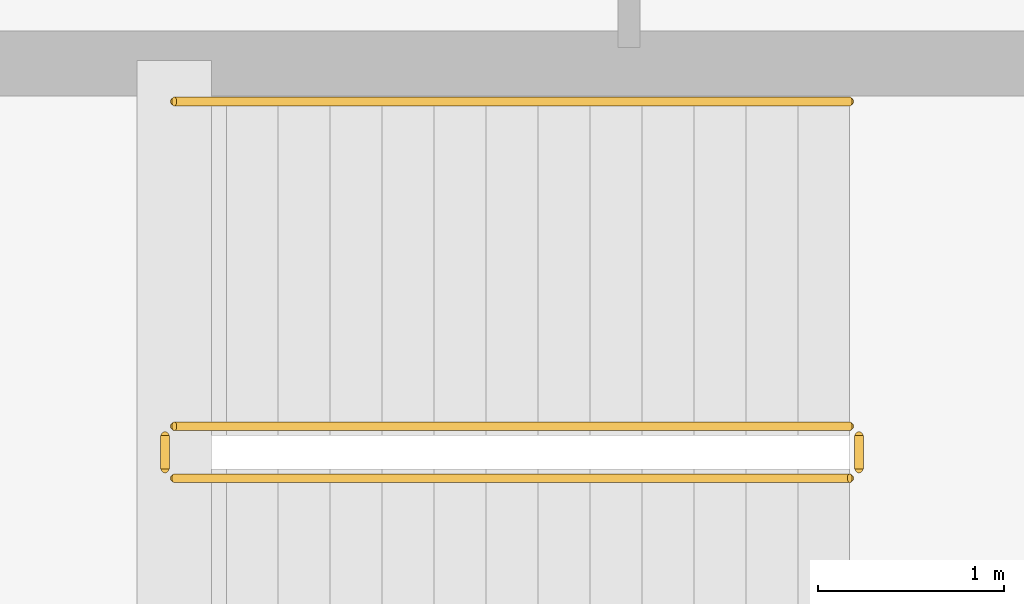
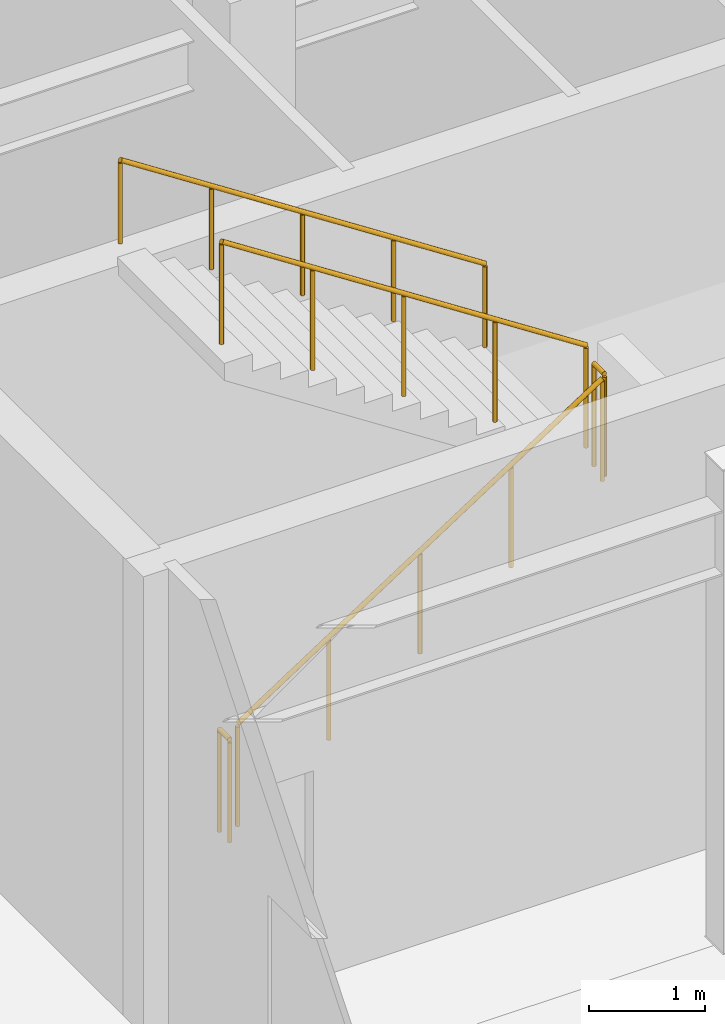
# One storey, part 73 of 78: 5 railings.
"""IFC4 building model written with IfcOpenShell, lengths in metres."""

from ifc_helpers import new_model, si_unit, direction, frame, origin, origin_2d, place, context, subcontext, project, spatial, circle, extrude, material, type_object, element, save


model = new_model("IFC4")

# Units and contexts
model_context = context("Model", 3, precision=1e-05, world=origin(), true_north=direction((0.0, 1.0)))
body_context = subcontext(model_context, "Body", "Model", "MODEL_VIEW")
ifc_project = project(units=[si_unit("LENGTHUNIT", "METRE"), si_unit("AREAUNIT", "SQUARE_METRE"), si_unit("VOLUMEUNIT", "CUBIC_METRE"), si_unit("PLANEANGLEUNIT", "RADIAN"), si_unit("MASSUNIT", "GRAM", prefix="KILO")], contexts=[model_context])

# Site, building, storey
site_placement = place(None, origin())
site = spatial("IfcSite", under=ifc_project, at=site_placement, CompositionType="ELEMENT")
building_placement = place(site_placement, origin())
building = spatial("IfcBuilding", under=site, at=building_placement, Name="Quendrovan Civic Courthouse", CompositionType="ELEMENT")
storey_placement = place(building_placement, frame((0.0, 0.0, 20.39990234375)))
storey = spatial("IfcBuildingStorey", under=building, at=storey_placement, Name="L05", CompositionType="ELEMENT", Elevation=20.39990234375)

# Railings
ifc_material_1 = material(Name="Painted galvanized steel", Category="steel")
railing_type_1 = type_object("IfcRailingType", Name="RL-STR-GUARD1100", PredefinedType="GUARDRAIL", material=ifc_material_1)
railing_1_placement = place(storey_placement, frame((5.449951171875, 59.800048828125, 0.18212890625)))
element("IfcRailing", 1, at=railing_1_placement, inside=storey, type_object=railing_type_1, Name="L05 ST4 stair guard 1", PredefinedType="GUARDRAIL", context=body_context, shape_type="SweptSolid", body=[
    extrude(circle(Radius=0.02392578125, at=origin_2d()), frame((0.0, 0.0, 1.076171875), z_axis=(0.83825089185, 0.0, 0.545284735081), x_axis=(0.0, 1.0, 0.0)), (0.0, 0.0, 1.0), 4.342529296875),
    extrude(circle(Radius=0.02099609375, at=origin_2d()), origin(), (0.0, 0.0, 1.0), 1.052001953125),
    extrude(circle(Radius=0.02099609375, at=origin_2d()), frame((0.91015625, 0.0, 0.592041015625)), (0.0, 0.0, 1.0), 1.052001953125),
    extrude(circle(Radius=0.02099609375, at=origin_2d()), frame((1.820068359375, 0.0, 1.18408203125)), (0.0, 0.0, 1.0), 1.052001953125),
    extrude(circle(Radius=0.02099609375, at=origin_2d()), frame((2.72998046875, 0.0, 1.77587890625)), (0.0, 0.0, 1.0), 1.052001953125),
    extrude(circle(Radius=0.02099609375, at=origin_2d()), frame((3.64013671875, 0.0, 2.367919921875)), (0.0, 0.0, 1.0), 1.052001953125),
])
railing_2_placement = place(storey_placement, frame((9.139892578125, 59.85009765625, 2.550048828125)))
element("IfcRailing", 2, at=railing_2_placement, inside=storey, type_object=railing_type_1, Name="L05 ST4 stair guard 2", PredefinedType="GUARDRAIL", context=body_context, shape_type="SweptSolid", body=[
    extrude(circle(Radius=0.02392578125, at=origin_2d()), frame((0.0, 0.0, 1.076171875), z_axis=(0.0, 1.0, 0.0), x_axis=(-1.0, 0.0, 0.0)), (0.0, 0.0, 1.0), 0.179931640625),
    extrude(circle(Radius=0.02099609375, at=origin_2d()), origin(), (0.0, 0.0, 1.0), 1.052001953125),
    extrude(circle(Radius=0.02099609375, at=origin_2d()), frame((0.0, 0.179931640625, 0.0)), (0.0, 0.0, 1.0), 1.052001953125),
])
railing_3_placement = place(storey_placement, frame((9.090087890625, 60.080078125, 2.732177734375)))
element("IfcRailing", 3, at=railing_3_placement, inside=storey, type_object=railing_type_1, Name="L05 ST4 stair guard 3", PredefinedType="GUARDRAIL", context=body_context, shape_type="SweptSolid", body=[
    extrude(circle(Radius=0.02392578125, at=origin_2d()), frame((0.0, 0.0, 1.076171875), z_axis=(-0.83825089185, 0.0, 0.545284735081), x_axis=(0.0, -1.0, 0.0)), (0.0, 0.0, 1.0), 4.342529296875),
    extrude(circle(Radius=0.02099609375, at=origin_2d()), origin(), (0.0, 0.0, 1.0), 1.052001953125),
    extrude(circle(Radius=0.02099609375, at=origin_2d()), frame((-0.91015625, 0.0, 0.592041015625)), (0.0, 0.0, 1.0), 1.052001953125),
    extrude(circle(Radius=0.02099609375, at=origin_2d()), frame((-1.820068359375, 0.0, 1.18408203125)), (0.0, 0.0, 1.0), 1.052001953125),
    extrude(circle(Radius=0.02099609375, at=origin_2d()), frame((-2.72998046875, 0.0, 1.77587890625)), (0.0, 0.0, 1.0), 1.052001953125),
    extrude(circle(Radius=0.02099609375, at=origin_2d()), frame((-3.64013671875, 0.0, 2.367919921875)), (0.0, 0.0, 1.0), 1.052001953125),
])
railing_4_placement = place(storey_placement, frame((5.39990234375, 59.85009765625, 0.0)))
element("IfcRailing", 4, at=railing_4_placement, inside=storey, type_object=railing_type_1, Name="L05 ST4 stair guard 4", PredefinedType="GUARDRAIL", context=body_context, shape_type="SweptSolid", body=[
    extrude(circle(Radius=0.02392578125, at=origin_2d()), frame((0.0, 0.0, 1.076171875), z_axis=(0.0, 1.0, 0.0), x_axis=(-1.0, 0.0, 0.0)), (0.0, 0.0, 1.0), 0.179931640625),
    extrude(circle(Radius=0.02099609375, at=origin_2d()), origin(), (0.0, 0.0, 1.0), 1.052001953125),
    extrude(circle(Radius=0.02099609375, at=origin_2d()), frame((0.0, 0.179931640625, 0.0)), (0.0, 0.0, 1.0), 1.052001953125),
])
ifc_material_2 = material(Name="Bronze anodised aluminium", Category="aluminium")
railing_type_2 = type_object("IfcRailingType", Name="RL-STR-HAND900", PredefinedType="HANDRAIL", material=ifc_material_2)
railing_5_placement = place(storey_placement, frame((9.090087890625, 61.830078125, 2.732177734375)))
element("IfcRailing", 5, at=railing_5_placement, inside=storey, type_object=railing_type_2, Name="L05 ST4 stair handrail 2", PredefinedType="HANDRAIL", context=body_context, shape_type="SweptSolid", body=[
    extrude(circle(Radius=0.02392578125, at=origin_2d()), frame((0.0, 0.0, 0.8759765625), z_axis=(-0.83825089185, 0.0, 0.545284735081), x_axis=(0.0, -1.0, 0.0)), (0.0, 0.0, 1.0), 4.342529296875),
    extrude(circle(Radius=0.02099609375, at=origin_2d()), origin(), (0.0, 0.0, 1.0), 0.851806640625),
    extrude(circle(Radius=0.02099609375, at=origin_2d()), frame((-0.91015625, 0.0, 0.592041015625)), (0.0, 0.0, 1.0), 0.851806640625),
    extrude(circle(Radius=0.02099609375, at=origin_2d()), frame((-1.820068359375, 0.0, 1.18408203125)), (0.0, 0.0, 1.0), 0.851806640625),
    extrude(circle(Radius=0.02099609375, at=origin_2d()), frame((-2.72998046875, 0.0, 1.77587890625)), (0.0, 0.0, 1.0), 0.851806640625),
    extrude(circle(Radius=0.02099609375, at=origin_2d()), frame((-3.64013671875, 0.0, 2.367919921875)), (0.0, 0.0, 1.0), 0.851806640625),
])

save(model, "model.ifc")
